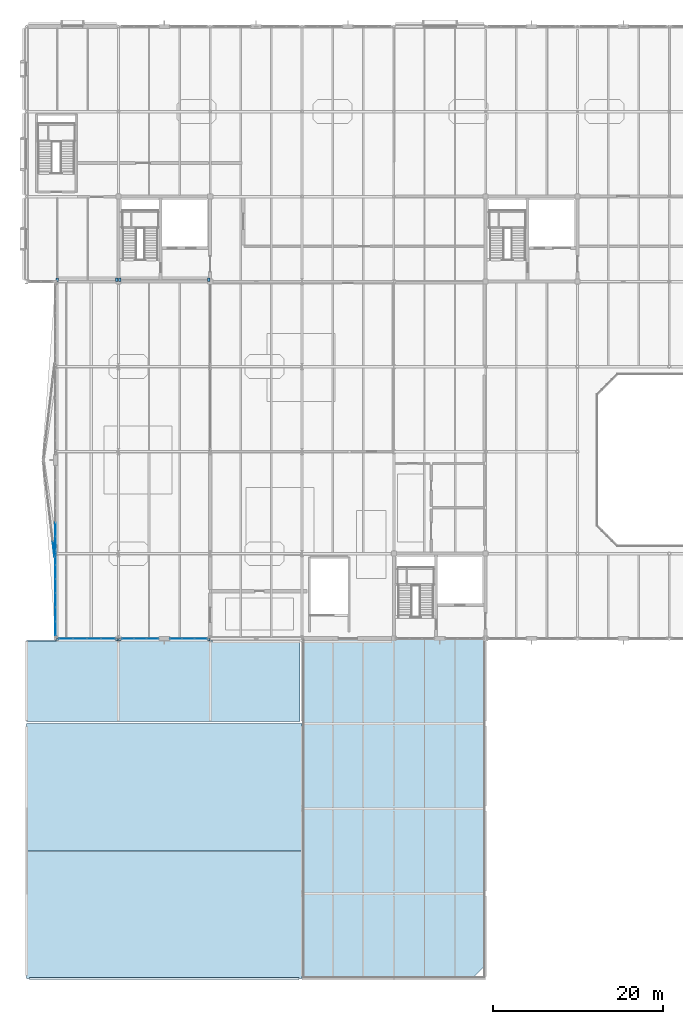
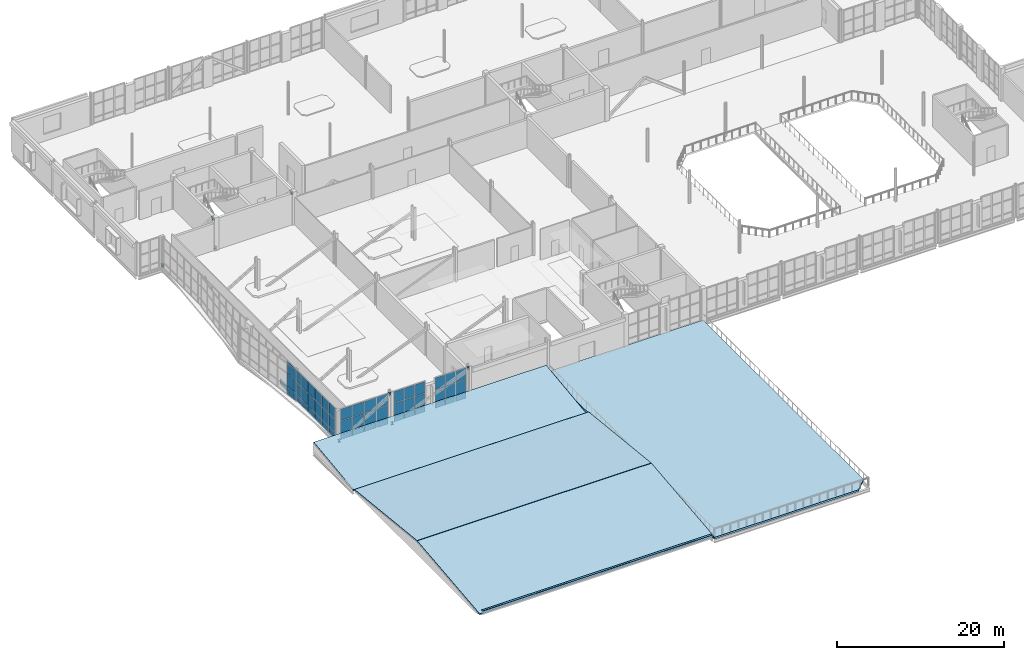
# One storey, part 62 of 100: 56 plates, 8 beams, 4 slabs, 5 elements without a shape of their own.
"""IFC4 building model written with IfcOpenShell, lengths in metres."""

import ifcopenshell
import ifcopenshell.guid

model = None  # the IFC model being written
_history = None  # IfcOwnerHistory: only IFC2X3 demands one
_inside = {}  # id of a spatial element -> (the spatial element, [elements in it])
_under = {}  # id of a project, library or spatial element -> (it, [spatial elements below it])
_declared = {}  # id of a project -> (the project, [libraries it declares])
_typed = {}  # id of a type object -> (the type object, [elements of that type])
_made_of = {}  # id of a material, layer set ... -> (it, [elements and type objects made of it])


def new_model(schema):
    """Start an empty IFC model of exactly this schema.

    Asked for "IFC4X3", IfcOpenShell would pick the latest addendum, in which some entities
    have other attributes; the version numbers below select the first issue.
    IFC2X3 requires an IfcOwnerHistory on every rooted entity: one is made here for all.
    """
    global model, _history
    if schema == "IFC4X3":
        model = ifcopenshell.file(schema_version=(4, 3, 0, 0))
    else:
        model = ifcopenshell.file(schema=schema)
    _inside.clear()
    _under.clear()
    _declared.clear()
    _typed.clear()
    _made_of.clear()
    _history = None
    if model.schema == "IFC2X3":
        org = make("IfcOrganization", Name="unknown")
        user = make(
            "IfcPersonAndOrganization",
            ThePerson=make("IfcPerson", FamilyName="unknown"),
            TheOrganization=org,
        )
        app = make(
            "IfcApplication",
            ApplicationDeveloper=org,
            Version="unknown",
            ApplicationFullName="unknown",
            ApplicationIdentifier="unknown",
        )
        _history = make(
            "IfcOwnerHistory",
            OwningUser=user,
            OwningApplication=app,
            ChangeAction="ADDED",
            CreationDate=0,
        )
    return model


def make(cls, **values):
    """One entity of the class cls with the attributes given. An attribute that is None is left unset."""
    return model.create_entity(
        cls, **{name: value for name, value in values.items() if value is not None}
    )


def rooted(cls, **values):
    """An entity with a GlobalId (a new one), such as an element, a storey or a relation."""
    return make(cls, GlobalId=ifcopenshell.guid.new(), OwnerHistory=_history, **values)


def si_unit(unit_type, name, prefix=None):
    """IfcSIUnit, for example si_unit("LENGTHUNIT", "METRE", prefix="MILLI")."""
    return make("IfcSIUnit", UnitType=unit_type, Prefix=prefix, Name=name)


def assignment(units):
    """IfcUnitAssignment: the units of a project."""
    return None if units is None else make("IfcUnitAssignment", Units=units)


def point(xyz):
    """IfcCartesianPoint."""
    return None if xyz is None else make("IfcCartesianPoint", Coordinates=xyz)


def direction(xyz):
    """IfcDirection."""
    return None if xyz is None else make("IfcDirection", DirectionRatios=xyz)


def frame(location, z_axis=None, x_axis=None):
    """IfcAxis2Placement3D, a coordinate frame: its origin and axes. An axis left out is left unset."""
    return make(
        "IfcAxis2Placement3D",
        Location=point(location),
        Axis=direction(z_axis),
        RefDirection=direction(x_axis),
    )


def frame_2d(location, x_axis=None):
    """IfcAxis2Placement2D, a coordinate frame in the plane: its origin and x axis."""
    return make(
        "IfcAxis2Placement2D", Location=point(location), RefDirection=direction(x_axis)
    )


def origin():
    """The frame at (0, 0, 0) with its axes left unset."""
    return frame((0.0, 0.0, 0.0))


def origin_2d():
    """The frame at (0, 0) in the plane with its x axis left unset."""
    return frame_2d((0.0, 0.0))


def place(relative_to, where):
    """IfcLocalPlacement: puts the frame where relative to a parent placement (None: the world)."""
    return make(
        "IfcLocalPlacement", PlacementRelTo=relative_to, RelativePlacement=where
    )


def context(
    kind, dimensions, precision=None, world=None, true_north=None, identifier=None
):
    """IfcGeometricRepresentationContext, for example the 3D "Model" context."""
    return make(
        "IfcGeometricRepresentationContext",
        ContextIdentifier=identifier,
        ContextType=kind,
        CoordinateSpaceDimension=dimensions,
        Precision=precision,
        WorldCoordinateSystem=world,
        TrueNorth=true_north,
    )


def subcontext(parent, identifier, kind, view, scale=None):
    """IfcGeometricRepresentationSubContext, for example "Body" below "Model"."""
    return make(
        "IfcGeometricRepresentationSubContext",
        ContextIdentifier=identifier,
        ContextType=kind,
        ParentContext=parent,
        TargetScale=scale,
        TargetView=view,
    )


def project(units=None, contexts=None):
    """IfcProject with its units and contexts."""
    return rooted(
        "IfcProject",
        Name="project",
        RepresentationContexts=contexts,
        UnitsInContext=assignment(units),
    )


def spatial(cls, under=None, at=None, **own):
    """A site, building, storey or space (cls), placed at a placement, below another one or the project."""
    s = rooted(cls, ObjectPlacement=at, **own)
    if under is not None:
        _under.setdefault(under.id(), (under, []))[1].append(s)
    return s


def polyline(points):
    """IfcPolyline through the points."""
    return make("IfcPolyline", Points=[point(p) for p in points])


def profile(cls, at=None, kind="AREA", **sizes):
    """A parametric profile (cls). Its sizes go by their IFC names, for example OverallWidth=200.0."""
    return make(cls, ProfileType=kind, Position=at, **sizes)


def rectangle(**sizes):
    """IfcRectangleProfileDef."""
    return profile("IfcRectangleProfileDef", **sizes)


def i_section(**sizes):
    """IfcIShapeProfileDef."""
    return profile("IfcIShapeProfileDef", **sizes)


def outline(outer, holes=None, kind="AREA"):
    """IfcArbitraryClosedProfileDef: a profile drawn as a closed curve; with holes, ...WithVoids."""
    if holes is None:
        return make("IfcArbitraryClosedProfileDef", ProfileType=kind, OuterCurve=outer)
    return make(
        "IfcArbitraryProfileDefWithVoids",
        ProfileType=kind,
        OuterCurve=outer,
        InnerCurves=holes,
    )


def extrude(swept, where, along, depth):
    """IfcExtrudedAreaSolid: the profile swept, set in the frame where, extruded along a direction by depth."""
    return make(
        "IfcExtrudedAreaSolid",
        SweptArea=swept,
        Position=where,
        ExtrudedDirection=direction(along),
        Depth=depth,
    )


def shape(context_of_items, identifier, shape_type, items):
    """IfcShapeRepresentation: the items that make up one representation, for example the "Body"."""
    return make(
        "IfcShapeRepresentation",
        ContextOfItems=context_of_items,
        RepresentationIdentifier=identifier,
        RepresentationType=shape_type,
        Items=items,
    )


def material(Name=None, Category=None):
    """IfcMaterial."""
    return make("IfcMaterial", Name=Name, Category=Category)


def layer(
    of_material, thickness, ventilated=None, Name=None, Category=None, Priority=None
):
    """IfcMaterialLayer: one layer of a wall or slab, of a material (None: an air gap)."""
    return make(
        "IfcMaterialLayer",
        Material=of_material,
        LayerThickness=thickness,
        IsVentilated=ventilated,
        Name=Name,
        Category=Category,
        Priority=Priority,
    )


def layer_set(layers, Name=None):
    """IfcMaterialLayerSet."""
    return make("IfcMaterialLayerSet", MaterialLayers=layers, LayerSetName=Name)


def material_profile(
    of_material, cross_section, Name=None, Category=None, Priority=None
):
    """IfcMaterialProfile: a cross section and its material."""
    return make(
        "IfcMaterialProfile",
        Name=Name,
        Material=of_material,
        Profile=cross_section,
        Priority=Priority,
        Category=Category,
    )


def profile_set(profiles, Name=None, composite=None):
    """IfcMaterialProfileSet."""
    return make(
        "IfcMaterialProfileSet",
        Name=Name,
        MaterialProfiles=profiles,
        CompositeProfile=composite,
    )


def made_of(thing, what):
    """Note that an element or type object is made of a material, layer set ...; save() writes the relation."""
    if what is not None:
        _made_of.setdefault(what.id(), (what, []))[1].append(thing)
    return thing


def type_object(cls, material=None, **own):
    """A type object (cls), such as IfcWallType, which elements share."""
    return made_of(rooted(cls, **own), material)


def element(
    cls,
    number,
    at=None,
    inside=None,
    cuts=None,
    type_object=None,
    material=None,
    context=None,
    identifier="Body",
    shape_type=None,
    held_by="IfcProductDefinitionShape",
    body=None,
    shapes=None,
    **own,
):
    """One element of the class cls, such as IfcWall. Its Tag is "e" and its number.

    at: its placement. inside: the storey or other place that contains it. cuts: it is an
    opening in that element (IfcRelVoidsElement). A single representation is given by context,
    identifier, shape_type and body (its items); several are given by shapes. held_by: the class
    of the entity that holds the representations. save() writes the other relations.
    """
    e = rooted(cls, Tag="e%d" % number, ObjectPlacement=at, **own)
    if body is not None:
        shapes = [shape(context, identifier, shape_type, body)]
    if shapes is not None:
        e.Representation = make(held_by, Representations=shapes)
    if inside is not None:
        _inside.setdefault(inside.id(), (inside, []))[1].append(e)
    if cuts is not None:
        rooted(
            "IfcRelVoidsElement", RelatingBuildingElement=cuts, RelatedOpeningElement=e
        )
    if type_object is not None:
        _typed.setdefault(type_object.id(), (type_object, []))[1].append(e)
    return made_of(e, material)


def aggregate(whole, parts):
    """IfcRelAggregates: a whole, such as a stair, and the parts it consists of."""
    return rooted("IfcRelAggregates", RelatingObject=whole, RelatedObjects=parts)


def save(model, path):
    """Write the relations noted so far, then the file.

    IfcRelAggregates (storeys below a building ...), IfcRelContainedInSpatialStructure (elements
    in a storey), IfcRelDefinesByType, IfcRelAssociatesMaterial and IfcRelDeclares: one each for
    every whole, place, type object, material and project.
    """
    for whole, parts in _under.values():
        aggregate(whole, parts)
    for where, things in _inside.values():
        rooted(
            "IfcRelContainedInSpatialStructure",
            RelatedElements=things,
            RelatingStructure=where,
        )
    for kind, things in _typed.values():
        rooted("IfcRelDefinesByType", RelatedObjects=things, RelatingType=kind)
    for what, things in _made_of.values():
        rooted("IfcRelAssociatesMaterial", RelatedObjects=things, RelatingMaterial=what)
    for by, libraries in _declared.values():
        rooted("IfcRelDeclares", RelatingContext=by, RelatedDefinitions=libraries)
    model.write(path)


model = new_model("IFC4")

# Units and contexts
model_context = context("Model", 3, precision=1e-05, world=origin(), true_north=direction((0.0, 1.0)))
body_context = subcontext(model_context, "Body", "Model", "MODEL_VIEW")
ifc_project = project(units=[si_unit("LENGTHUNIT", "METRE"), si_unit("AREAUNIT", "SQUARE_METRE"), si_unit("VOLUMEUNIT", "CUBIC_METRE"), si_unit("PLANEANGLEUNIT", "RADIAN"), si_unit("MASSUNIT", "GRAM", prefix="KILO")], contexts=[model_context])

# Site, building, storey
site_placement = place(None, origin())
site = spatial("IfcSite", under=ifc_project, at=site_placement, CompositionType="ELEMENT")
building_placement = place(site_placement, origin())
building = spatial("IfcBuilding", under=site, at=building_placement, Name="Tasgan Crest Museum", CompositionType="ELEMENT")
storey_placement = place(building_placement, frame((0.0, 0.0, 9.60009765625)))
storey = spatial("IfcBuildingStorey", under=building, at=storey_placement, Name="L02", CompositionType="ELEMENT", Elevation=9.60009765625)

# Beams
ifc_material_1 = material(Name="Steel S355J2", Category="steel")
ifc_material_profile = material_profile(ifc_material_1, i_section(OverallWidth=0.300048828125, OverallDepth=0.35009765625, WebThickness=0.009521484375, FlangeThickness=0.017578125, FilletRadius=0.027099609375, at=origin_2d()), Name="HEA 360")
ifc_profile_set = profile_set([ifc_material_profile], Name="Steel S355J2")
beam_type = type_object("IfcBeamType", Name="BM-G-HEA360", PredefinedType="BEAM", material=ifc_profile_set)
for number, where, z_axis, x_axis, name in (
    (1, (3.60009765625, 40.0, 0.0498046875), (0.0, -1.0, 0.0), (1.0, 0.0, 0.0), "Exterior truss outrigger S1A"),
    (2, (10.60009765625, 40.0, 4.449951171875), (0.0, -1.0, 0.0), (1.0, 0.0, 0.0), "Exterior truss outrigger S1B"),
    (3, (10.949951171875, 40.0, 0.0498046875), (0.0, -1.0, 0.0), (1.0, 0.0, 0.0), "Exterior truss outrigger S2A"),
    (4, (21.449951171875, 40.0, 4.449951171875), (0.0, -1.0, 0.0), (1.0, 0.0, 0.0), "Exterior truss outrigger S2B"),
):
    element("IfcBeam", number, at=place(storey_placement, frame(where, z_axis=z_axis, x_axis=x_axis)), inside=storey, type_object=beam_type, Name=name, PredefinedType="BEAM", context=body_context, shape_type="SweptSolid", body=[
        extrude(i_section(OverallWidth=0.300048828125, OverallDepth=0.35009765625, WebThickness=0.009521484375, FlangeThickness=0.017578125, FilletRadius=0.027099609375, at=origin_2d()), origin(), (0.0, 0.0, 1.0), 0.199951171875),
    ])
for number, where, z_axis, x_axis, name in (
    (5, (3.60009765625, 82.0, 0.0498046875), (0.0, 1.0, 0.0), (-1.0, 0.0, 0.0), "Exterior truss outrigger N1A"),
    (6, (10.60009765625, 82.0, 4.449951171875), (0.0, 1.0, 0.0), (-1.0, 0.0, 0.0), "Exterior truss outrigger N1B"),
    (7, (10.949951171875, 82.0, 0.0498046875), (0.0, 1.0, 0.0), (-1.0, 0.0, 0.0), "Exterior truss outrigger N2A"),
    (8, (21.449951171875, 82.0, 4.449951171875), (0.0, 1.0, 0.0), (-1.0, 0.0, 0.0), "Exterior truss outrigger N2B"),
):
    element("IfcBeam", number, at=place(storey_placement, frame(where, z_axis=z_axis, x_axis=x_axis)), inside=storey, type_object=beam_type, Name=name, PredefinedType="BEAM", context=body_context, shape_type="SweptSolid", body=[
        extrude(i_section(OverallWidth=0.300048828125, OverallDepth=0.35009765625, WebThickness=0.009521484375, FlangeThickness=0.017578125, FilletRadius=0.027099609375, at=origin_2d()), origin(), (0.0, 0.0, 1.0), 0.419921875),
    ])

# Curtain wall, plates
ifc_material_2 = material(Name="Triple-Glazed Aluminium Curtain Wall", Category="aluminium")
ifc_layer_1 = layer(ifc_material_2, 0.179931640625, Name="CW-CANT-TIP-48")
ifc_layer_set_1 = layer_set([ifc_layer_1], Name="Triple-Glazed Aluminium Curtain Wall")
curtain_wall_type_1 = type_object("IfcCurtainWallType", Name="CW-CANT-TIP-48", PredefinedType="NOTDEFINED", material=ifc_layer_set_1)
curtain_wall_1_placement = place(storey_placement, origin())
curtain_wall_1 = element("IfcCurtainWall", 9, at=curtain_wall_1_placement, inside=storey, type_object=curtain_wall_type_1, Name="Curtain wall L02 095", PredefinedType="NOTDEFINED")
ifc_material_3 = material(Name="Insulated Spandrel Glass", Category="glass")
ifc_layer_2 = layer(ifc_material_3, 0.052001953125, Name="CW-PANEL-SPANDREL")
ifc_layer_set_2 = layer_set([ifc_layer_2], Name="Insulated Spandrel Glass")
plate_type_1 = type_object("IfcPlateType", Name="CW-PANEL-SPANDREL", PredefinedType="CURTAIN_PANEL", material=ifc_layer_set_2)
plate_1_placement = place(storey_placement, frame((3.39990234375, 52.858642578125, 0.059814453125), z_axis=(0.0, 0.0, 1.0), x_axis=(0.0, -1.0, 0.0)))
plate_1 = element("IfcPlate", 10, at=plate_1_placement, type_object=plate_type_1, Name="CW09 panel 5.1", PredefinedType="CURTAIN_PANEL", context=body_context, shape_type="SweptSolid", body=[
    extrude(rectangle(XDim=1.605712890625, YDim=0.028076171875, at=origin_2d()), origin(), (0.0, 0.0, 1.0), 0.81005859375),
])
plate_2_placement = place(storey_placement, frame((3.39990234375, 51.19287109375, 0.059814453125), z_axis=(0.0, 0.0, 1.0), x_axis=(0.0, -1.0, 0.0)))
plate_2 = element("IfcPlate", 11, at=plate_2_placement, type_object=plate_type_1, Name="CW09 panel 6.1", PredefinedType="CURTAIN_PANEL", context=body_context, shape_type="SweptSolid", body=[
    extrude(rectangle(XDim=1.605712890625, YDim=0.028076171875, at=origin_2d()), origin(), (0.0, 0.0, 1.0), 0.81005859375),
])
plate_3_placement = place(storey_placement, frame((3.39990234375, 49.527099609375, 0.059814453125), z_axis=(0.0, 0.0, 1.0), x_axis=(0.0, -1.0, 0.0)))
plate_3 = element("IfcPlate", 12, at=plate_3_placement, type_object=plate_type_1, Name="CW09 panel 7.1", PredefinedType="CURTAIN_PANEL", context=body_context, shape_type="SweptSolid", body=[
    extrude(rectangle(XDim=1.605712890625, YDim=0.028076171875, at=origin_2d()), origin(), (0.0, 0.0, 1.0), 0.81005859375),
])
plate_4_placement = place(storey_placement, frame((3.39990234375, 47.861328125, 0.059814453125), z_axis=(0.0, 0.0, 1.0), x_axis=(0.0, -1.0, 0.0)))
plate_4 = element("IfcPlate", 13, at=plate_4_placement, type_object=plate_type_1, Name="CW09 panel 8.1", PredefinedType="CURTAIN_PANEL", context=body_context, shape_type="SweptSolid", body=[
    extrude(rectangle(XDim=1.605712890625, YDim=0.028076171875, at=origin_2d()), origin(), (0.0, 0.0, 1.0), 0.81005859375),
])
plate_5_placement = place(storey_placement, frame((3.39990234375, 46.1953125, 0.059814453125), z_axis=(0.0, 0.0, 1.0), x_axis=(0.0, -1.0, 0.0)))
plate_5 = element("IfcPlate", 14, at=plate_5_placement, type_object=plate_type_1, Name="CW09 panel 9.1", PredefinedType="CURTAIN_PANEL", context=body_context, shape_type="SweptSolid", body=[
    extrude(rectangle(XDim=1.605712890625, YDim=0.028076171875, at=origin_2d()), origin(), (0.0, 0.0, 1.0), 0.81005859375),
])
plate_6_placement = place(storey_placement, frame((3.39990234375, 44.529541015625, 0.059814453125), z_axis=(0.0, 0.0, 1.0), x_axis=(0.0, -1.0, 0.0)))
plate_6 = element("IfcPlate", 15, at=plate_6_placement, type_object=plate_type_1, Name="CW09 panel 10.1", PredefinedType="CURTAIN_PANEL", context=body_context, shape_type="SweptSolid", body=[
    extrude(rectangle(XDim=1.605712890625, YDim=0.028076171875, at=origin_2d()), origin(), (0.0, 0.0, 1.0), 0.81005859375),
])
plate_7_placement = place(storey_placement, frame((3.39990234375, 42.86376953125, 0.059814453125), z_axis=(0.0, 0.0, 1.0), x_axis=(0.0, -1.0, 0.0)))
plate_7 = element("IfcPlate", 16, at=plate_7_placement, type_object=plate_type_1, Name="CW09 panel 11.1", PredefinedType="CURTAIN_PANEL", context=body_context, shape_type="SweptSolid", body=[
    extrude(rectangle(XDim=1.605712890625, YDim=0.028076171875, at=origin_2d()), origin(), (0.0, 0.0, 1.0), 0.81005859375),
])
plate_8_placement = place(storey_placement, frame((3.39990234375, 41.212890625, 0.059814453125), z_axis=(0.0, 0.0, 1.0), x_axis=(0.0, -1.0, 0.0)))
plate_8 = element("IfcPlate", 17, at=plate_8_placement, type_object=plate_type_1, Name="CW09 panel 12.1", PredefinedType="CURTAIN_PANEL", context=body_context, shape_type="SweptSolid", body=[
    extrude(rectangle(XDim=1.575927734375, YDim=0.028076171875, at=origin_2d()), origin(), (0.0, 0.0, 1.0), 0.81005859375),
])

ifc_material_4 = material(Name="Triple-Glazed Aluminium Curtain Wall", Category="aluminium")
ifc_layer_3 = layer(ifc_material_4, 0.179931640625, Name="CW-CANT-SIDE-48")
ifc_layer_set_3 = layer_set([ifc_layer_3], Name="Triple-Glazed Aluminium Curtain Wall")
curtain_wall_type_2 = type_object("IfcCurtainWallType", Name="CW-CANT-SIDE-48", PredefinedType="NOTDEFINED", material=ifc_layer_set_3)
curtain_wall_2_placement = place(storey_placement, origin())
curtain_wall_2 = element("IfcCurtainWall", 18, at=curtain_wall_2_placement, inside=storey, type_object=curtain_wall_type_2, Name="Curtain wall L02 096", PredefinedType="NOTDEFINED")
plate_9_placement = place(storey_placement, frame((4.61376953125, 40.0, 0.059814453125), z_axis=(0.0, 0.0, 1.0), x_axis=(1.0, 0.0, 0.0)))
plate_9 = element("IfcPlate", 19, at=plate_9_placement, type_object=plate_type_1, Name="CW11 panel 1.1", PredefinedType="CURTAIN_PANEL", context=body_context, shape_type="SweptSolid", body=[
    extrude(rectangle(XDim=1.577392578125, YDim=0.028076171875, at=origin_2d()), origin(), (0.0, 0.0, 1.0), 0.81005859375),
])
plate_10_placement = place(storey_placement, frame((6.266357421875, 40.0, 0.059814453125), z_axis=(0.0, 0.0, 1.0), x_axis=(1.0, 0.0, 0.0)))
plate_10 = element("IfcPlate", 20, at=plate_10_placement, type_object=plate_type_1, Name="CW11 panel 2.1", PredefinedType="CURTAIN_PANEL", context=body_context, shape_type="SweptSolid", body=[
    extrude(rectangle(XDim=1.607421875, YDim=0.028076171875, at=origin_2d()), origin(), (0.0, 0.0, 1.0), 0.81005859375),
])
plate_11_placement = place(storey_placement, frame((7.933837890625, 40.0, 0.059814453125), z_axis=(0.0, 0.0, 1.0), x_axis=(1.0, 0.0, 0.0)))
plate_11 = element("IfcPlate", 21, at=plate_11_placement, type_object=plate_type_1, Name="CW11 panel 3.1", PredefinedType="CURTAIN_PANEL", context=body_context, shape_type="SweptSolid", body=[
    extrude(rectangle(XDim=1.607421875, YDim=0.028076171875, at=origin_2d()), origin(), (0.0, 0.0, 1.0), 0.81005859375),
])
plate_12_placement = place(storey_placement, frame((9.586181640625, 40.0, 0.059814453125), z_axis=(0.0, 0.0, 1.0), x_axis=(1.0, 0.0, 0.0)))
plate_12 = element("IfcPlate", 22, at=plate_12_placement, type_object=plate_type_1, Name="CW11 panel 4.1", PredefinedType="CURTAIN_PANEL", context=body_context, shape_type="SweptSolid", body=[
    extrude(rectangle(XDim=1.577392578125, YDim=0.028076171875, at=origin_2d()), origin(), (0.0, 0.0, 1.0), 0.81005859375),
])

curtain_wall_3_placement = place(storey_placement, origin())
curtain_wall_3 = element("IfcCurtainWall", 23, at=curtain_wall_3_placement, inside=storey, type_object=curtain_wall_type_2, Name="Curtain wall L02 097", PredefinedType="NOTDEFINED")
plate_13_placement = place(storey_placement, frame((11.91162109375, 40.0, 0.059814453125), z_axis=(0.0, 0.0, 1.0), x_axis=(1.0, 0.0, 0.0)))
plate_13 = element("IfcPlate", 24, at=plate_13_placement, type_object=plate_type_1, Name="CW11 panel 1.1", PredefinedType="CURTAIN_PANEL", context=body_context, shape_type="SweptSolid", body=[
    extrude(rectangle(XDim=1.373291015625, YDim=0.028076171875, at=origin_2d()), origin(), (0.0, 0.0, 1.0), 0.81005859375),
])
plate_14_placement = place(storey_placement, frame((13.360107421875, 40.0, 0.059814453125), z_axis=(0.0, 0.0, 1.0), x_axis=(1.0, 0.0, 0.0)))
plate_14 = element("IfcPlate", 25, at=plate_14_placement, type_object=plate_type_1, Name="CW11 panel 2.1", PredefinedType="CURTAIN_PANEL", context=body_context, shape_type="SweptSolid", body=[
    extrude(rectangle(XDim=1.4033203125, YDim=0.028076171875, at=origin_2d()), origin(), (0.0, 0.0, 1.0), 0.81005859375),
])
plate_15_placement = place(storey_placement, frame((14.808349609375, 40.0, 0.059814453125), z_axis=(0.0, 0.0, 1.0), x_axis=(1.0, 0.0, 0.0)))
plate_15 = element("IfcPlate", 26, at=plate_15_placement, type_object=plate_type_1, Name="CW11 panel 3.1", PredefinedType="CURTAIN_PANEL", context=body_context, shape_type="SweptSolid", body=[
    extrude(rectangle(XDim=1.373291015625, YDim=0.028076171875, at=origin_2d()), origin(), (0.0, 0.0, 1.0), 0.81005859375),
])

curtain_wall_4_placement = place(storey_placement, origin())
curtain_wall_4 = element("IfcCurtainWall", 27, at=curtain_wall_4_placement, inside=storey, type_object=curtain_wall_type_2, Name="Curtain wall L02 098", PredefinedType="NOTDEFINED")
plate_16_placement = place(storey_placement, frame((17.591552734375, 40.0, 0.059814453125), z_axis=(0.0, 0.0, 1.0), x_axis=(1.0, 0.0, 0.0)))
plate_16 = element("IfcPlate", 28, at=plate_16_placement, type_object=plate_type_1, Name="CW11 panel 1.1", PredefinedType="CURTAIN_PANEL", context=body_context, shape_type="SweptSolid", body=[
    extrude(rectangle(XDim=1.373291015625, YDim=0.028076171875, at=origin_2d()), origin(), (0.0, 0.0, 1.0), 0.81005859375),
])
plate_17_placement = place(storey_placement, frame((19.0400390625, 40.0, 0.059814453125), z_axis=(0.0, 0.0, 1.0), x_axis=(1.0, 0.0, 0.0)))
plate_17 = element("IfcPlate", 29, at=plate_17_placement, type_object=plate_type_1, Name="CW11 panel 2.1", PredefinedType="CURTAIN_PANEL", context=body_context, shape_type="SweptSolid", body=[
    extrude(rectangle(XDim=1.4033203125, YDim=0.028076171875, at=origin_2d()), origin(), (0.0, 0.0, 1.0), 0.81005859375),
])
plate_18_placement = place(storey_placement, frame((20.48828125, 40.0, 0.059814453125), z_axis=(0.0, 0.0, 1.0), x_axis=(1.0, 0.0, 0.0)))
plate_18 = element("IfcPlate", 30, at=plate_18_placement, type_object=plate_type_1, Name="CW11 panel 3.1", PredefinedType="CURTAIN_PANEL", context=body_context, shape_type="SweptSolid", body=[
    extrude(rectangle(XDim=1.373291015625, YDim=0.028076171875, at=origin_2d()), origin(), (0.0, 0.0, 1.0), 0.81005859375),
])

# Plate
ifc_material_5 = material(Name="Low-E Triple Glazing", Category="glass")
ifc_layer_4 = layer(ifc_material_5, 0.0439453125, Name="CW-PANEL-TRIPLE")
ifc_layer_set_4 = layer_set([ifc_layer_4], Name="Low-E Triple Glazing")
plate_type_2 = type_object("IfcPlateType", Name="CW-PANEL-TRIPLE", PredefinedType="CURTAIN_PANEL", material=ifc_layer_set_4)
plate_19_placement = place(storey_placement, frame((3.39990234375, 51.19287109375, 0.9296875), z_axis=(0.0, 0.0, 1.0), x_axis=(0.0, -1.0, 0.0)))
plate_19 = element("IfcPlate", 31, at=plate_19_placement, type_object=plate_type_2, Name="CW09 panel 6.2", PredefinedType="CURTAIN_PANEL", context=body_context, shape_type="SweptSolid", body=[
    extrude(rectangle(XDim=1.605712890625, YDim=0.028076171875, at=origin_2d()), origin(), (0.0, 0.0, 1.0), 1.840087890625),
])

plate_20_placement = place(storey_placement, frame((3.39990234375, 51.19287109375, 2.829833984375), z_axis=(0.0, 0.0, 1.0), x_axis=(0.0, -1.0, 0.0)))
plate_20 = element("IfcPlate", 32, at=plate_20_placement, type_object=plate_type_2, Name="CW09 panel 6.3", PredefinedType="CURTAIN_PANEL", context=body_context, shape_type="SweptSolid", body=[
    extrude(rectangle(XDim=1.605712890625, YDim=0.028076171875, at=origin_2d()), origin(), (0.0, 0.0, 1.0), 1.669921875),
])

plate_21_placement = place(storey_placement, frame((3.39990234375, 49.527099609375, 0.9296875), z_axis=(0.0, 0.0, 1.0), x_axis=(0.0, -1.0, 0.0)))
plate_21 = element("IfcPlate", 33, at=plate_21_placement, type_object=plate_type_2, Name="CW09 panel 7.2", PredefinedType="CURTAIN_PANEL", context=body_context, shape_type="SweptSolid", body=[
    extrude(rectangle(XDim=1.605712890625, YDim=0.028076171875, at=origin_2d()), origin(), (0.0, 0.0, 1.0), 1.840087890625),
])

plate_22_placement = place(storey_placement, frame((3.39990234375, 49.527099609375, 2.829833984375), z_axis=(0.0, 0.0, 1.0), x_axis=(0.0, -1.0, 0.0)))
plate_22 = element("IfcPlate", 34, at=plate_22_placement, type_object=plate_type_2, Name="CW09 panel 7.3", PredefinedType="CURTAIN_PANEL", context=body_context, shape_type="SweptSolid", body=[
    extrude(rectangle(XDim=1.605712890625, YDim=0.028076171875, at=origin_2d()), origin(), (0.0, 0.0, 1.0), 1.669921875),
])

plate_23_placement = place(storey_placement, frame((3.39990234375, 47.861328125, 0.9296875), z_axis=(0.0, 0.0, 1.0), x_axis=(0.0, -1.0, 0.0)))
plate_23 = element("IfcPlate", 35, at=plate_23_placement, type_object=plate_type_2, Name="CW09 panel 8.2", PredefinedType="CURTAIN_PANEL", context=body_context, shape_type="SweptSolid", body=[
    extrude(rectangle(XDim=1.605712890625, YDim=0.028076171875, at=origin_2d()), origin(), (0.0, 0.0, 1.0), 1.840087890625),
])

plate_24_placement = place(storey_placement, frame((3.39990234375, 47.861328125, 2.829833984375), z_axis=(0.0, 0.0, 1.0), x_axis=(0.0, -1.0, 0.0)))
plate_24 = element("IfcPlate", 36, at=plate_24_placement, type_object=plate_type_2, Name="CW09 panel 8.3", PredefinedType="CURTAIN_PANEL", context=body_context, shape_type="SweptSolid", body=[
    extrude(rectangle(XDim=1.605712890625, YDim=0.028076171875, at=origin_2d()), origin(), (0.0, 0.0, 1.0), 1.669921875),
])

plate_25_placement = place(storey_placement, frame((3.39990234375, 46.1953125, 0.9296875), z_axis=(0.0, 0.0, 1.0), x_axis=(0.0, -1.0, 0.0)))
plate_25 = element("IfcPlate", 37, at=plate_25_placement, type_object=plate_type_2, Name="CW09 panel 9.2", PredefinedType="CURTAIN_PANEL", context=body_context, shape_type="SweptSolid", body=[
    extrude(rectangle(XDim=1.605712890625, YDim=0.028076171875, at=origin_2d()), origin(), (0.0, 0.0, 1.0), 1.840087890625),
])

plate_26_placement = place(storey_placement, frame((3.39990234375, 46.1953125, 2.829833984375), z_axis=(0.0, 0.0, 1.0), x_axis=(0.0, -1.0, 0.0)))
plate_26 = element("IfcPlate", 38, at=plate_26_placement, type_object=plate_type_2, Name="CW09 panel 9.3", PredefinedType="CURTAIN_PANEL", context=body_context, shape_type="SweptSolid", body=[
    extrude(rectangle(XDim=1.605712890625, YDim=0.028076171875, at=origin_2d()), origin(), (0.0, 0.0, 1.0), 1.669921875),
])

plate_27_placement = place(storey_placement, frame((3.39990234375, 44.529541015625, 0.9296875), z_axis=(0.0, 0.0, 1.0), x_axis=(0.0, -1.0, 0.0)))
plate_27 = element("IfcPlate", 39, at=plate_27_placement, type_object=plate_type_2, Name="CW09 panel 10.2", PredefinedType="CURTAIN_PANEL", context=body_context, shape_type="SweptSolid", body=[
    extrude(rectangle(XDim=1.605712890625, YDim=0.028076171875, at=origin_2d()), origin(), (0.0, 0.0, 1.0), 1.840087890625),
])

plate_28_placement = place(storey_placement, frame((3.39990234375, 44.529541015625, 2.829833984375), z_axis=(0.0, 0.0, 1.0), x_axis=(0.0, -1.0, 0.0)))
plate_28 = element("IfcPlate", 40, at=plate_28_placement, type_object=plate_type_2, Name="CW09 panel 10.3", PredefinedType="CURTAIN_PANEL", context=body_context, shape_type="SweptSolid", body=[
    extrude(rectangle(XDim=1.605712890625, YDim=0.028076171875, at=origin_2d()), origin(), (0.0, 0.0, 1.0), 1.669921875),
])

plate_29_placement = place(storey_placement, frame((3.39990234375, 42.86376953125, 0.9296875), z_axis=(0.0, 0.0, 1.0), x_axis=(0.0, -1.0, 0.0)))
plate_29 = element("IfcPlate", 41, at=plate_29_placement, type_object=plate_type_2, Name="CW09 panel 11.2", PredefinedType="CURTAIN_PANEL", context=body_context, shape_type="SweptSolid", body=[
    extrude(rectangle(XDim=1.605712890625, YDim=0.028076171875, at=origin_2d()), origin(), (0.0, 0.0, 1.0), 1.840087890625),
])

plate_30_placement = place(storey_placement, frame((3.39990234375, 42.86376953125, 2.829833984375), z_axis=(0.0, 0.0, 1.0), x_axis=(0.0, -1.0, 0.0)))
plate_30 = element("IfcPlate", 42, at=plate_30_placement, type_object=plate_type_2, Name="CW09 panel 11.3", PredefinedType="CURTAIN_PANEL", context=body_context, shape_type="SweptSolid", body=[
    extrude(rectangle(XDim=1.605712890625, YDim=0.028076171875, at=origin_2d()), origin(), (0.0, 0.0, 1.0), 1.669921875),
])

plate_31_placement = place(storey_placement, frame((3.39990234375, 41.212890625, 0.9296875), z_axis=(0.0, 0.0, 1.0), x_axis=(0.0, -1.0, 0.0)))
plate_31 = element("IfcPlate", 43, at=plate_31_placement, type_object=plate_type_2, Name="CW09 panel 12.2", PredefinedType="CURTAIN_PANEL", context=body_context, shape_type="SweptSolid", body=[
    extrude(rectangle(XDim=1.575927734375, YDim=0.028076171875, at=origin_2d()), origin(), (0.0, 0.0, 1.0), 1.840087890625),
])

plate_32_placement = place(storey_placement, frame((3.39990234375, 41.212890625, 2.829833984375), z_axis=(0.0, 0.0, 1.0), x_axis=(0.0, -1.0, 0.0)))
plate_32 = element("IfcPlate", 44, at=plate_32_placement, type_object=plate_type_2, Name="CW09 panel 12.3", PredefinedType="CURTAIN_PANEL", context=body_context, shape_type="SweptSolid", body=[
    extrude(rectangle(XDim=1.575927734375, YDim=0.028076171875, at=origin_2d()), origin(), (0.0, 0.0, 1.0), 1.669921875),
])

aggregate(curtain_wall_1, [plate_1, plate_2, plate_19, plate_20, plate_3, plate_21, plate_22, plate_4, plate_23, plate_24, plate_5, plate_25, plate_26, plate_6, plate_27, plate_28, plate_7, plate_29, plate_30, plate_8, plate_31, plate_32])

plate_33_placement = place(storey_placement, frame((4.61376953125, 40.0, 0.9296875), z_axis=(0.0, 0.0, 1.0), x_axis=(1.0, 0.0, 0.0)))
plate_33 = element("IfcPlate", 45, at=plate_33_placement, type_object=plate_type_2, Name="CW11 panel 1.2", PredefinedType="CURTAIN_PANEL", context=body_context, shape_type="SweptSolid", body=[
    extrude(rectangle(XDim=1.577392578125, YDim=0.028076171875, at=origin_2d()), origin(), (0.0, 0.0, 1.0), 1.840087890625),
])

plate_34_placement = place(storey_placement, frame((4.61376953125, 40.0, 2.829833984375), z_axis=(0.0, 0.0, 1.0), x_axis=(1.0, 0.0, 0.0)))
plate_34 = element("IfcPlate", 46, at=plate_34_placement, type_object=plate_type_2, Name="CW11 panel 1.3", PredefinedType="CURTAIN_PANEL", context=body_context, shape_type="SweptSolid", body=[
    extrude(rectangle(XDim=1.577392578125, YDim=0.028076171875, at=origin_2d()), origin(), (0.0, 0.0, 1.0), 1.669921875),
])

plate_35_placement = place(storey_placement, frame((6.266357421875, 40.0, 0.9296875), z_axis=(0.0, 0.0, 1.0), x_axis=(1.0, 0.0, 0.0)))
plate_35 = element("IfcPlate", 47, at=plate_35_placement, type_object=plate_type_2, Name="CW11 panel 2.2", PredefinedType="CURTAIN_PANEL", context=body_context, shape_type="SweptSolid", body=[
    extrude(rectangle(XDim=1.607421875, YDim=0.028076171875, at=origin_2d()), origin(), (0.0, 0.0, 1.0), 1.840087890625),
])

plate_36_placement = place(storey_placement, frame((6.266357421875, 40.0, 2.829833984375), z_axis=(0.0, 0.0, 1.0), x_axis=(1.0, 0.0, 0.0)))
plate_36 = element("IfcPlate", 48, at=plate_36_placement, type_object=plate_type_2, Name="CW11 panel 2.3", PredefinedType="CURTAIN_PANEL", context=body_context, shape_type="SweptSolid", body=[
    extrude(rectangle(XDim=1.607421875, YDim=0.028076171875, at=origin_2d()), origin(), (0.0, 0.0, 1.0), 1.669921875),
])

plate_37_placement = place(storey_placement, frame((7.933837890625, 40.0, 0.9296875), z_axis=(0.0, 0.0, 1.0), x_axis=(1.0, 0.0, 0.0)))
plate_37 = element("IfcPlate", 49, at=plate_37_placement, type_object=plate_type_2, Name="CW11 panel 3.2", PredefinedType="CURTAIN_PANEL", context=body_context, shape_type="SweptSolid", body=[
    extrude(rectangle(XDim=1.607421875, YDim=0.028076171875, at=origin_2d()), origin(), (0.0, 0.0, 1.0), 1.840087890625),
])

plate_38_placement = place(storey_placement, frame((7.933837890625, 40.0, 2.829833984375), z_axis=(0.0, 0.0, 1.0), x_axis=(1.0, 0.0, 0.0)))
plate_38 = element("IfcPlate", 50, at=plate_38_placement, type_object=plate_type_2, Name="CW11 panel 3.3", PredefinedType="CURTAIN_PANEL", context=body_context, shape_type="SweptSolid", body=[
    extrude(rectangle(XDim=1.607421875, YDim=0.028076171875, at=origin_2d()), origin(), (0.0, 0.0, 1.0), 1.669921875),
])

plate_39_placement = place(storey_placement, frame((9.586181640625, 40.0, 0.9296875), z_axis=(0.0, 0.0, 1.0), x_axis=(1.0, 0.0, 0.0)))
plate_39 = element("IfcPlate", 51, at=plate_39_placement, type_object=plate_type_2, Name="CW11 panel 4.2", PredefinedType="CURTAIN_PANEL", context=body_context, shape_type="SweptSolid", body=[
    extrude(rectangle(XDim=1.577392578125, YDim=0.028076171875, at=origin_2d()), origin(), (0.0, 0.0, 1.0), 1.840087890625),
])

plate_40_placement = place(storey_placement, frame((9.586181640625, 40.0, 2.829833984375), z_axis=(0.0, 0.0, 1.0), x_axis=(1.0, 0.0, 0.0)))
plate_40 = element("IfcPlate", 52, at=plate_40_placement, type_object=plate_type_2, Name="CW11 panel 4.3", PredefinedType="CURTAIN_PANEL", context=body_context, shape_type="SweptSolid", body=[
    extrude(rectangle(XDim=1.577392578125, YDim=0.028076171875, at=origin_2d()), origin(), (0.0, 0.0, 1.0), 1.669921875),
])

aggregate(curtain_wall_2, [plate_9, plate_33, plate_34, plate_10, plate_35, plate_36, plate_11, plate_37, plate_38, plate_12, plate_39, plate_40])

plate_41_placement = place(storey_placement, frame((11.91162109375, 40.0, 0.9296875), z_axis=(0.0, 0.0, 1.0), x_axis=(1.0, 0.0, 0.0)))
plate_41 = element("IfcPlate", 53, at=plate_41_placement, type_object=plate_type_2, Name="CW11 panel 1.2", PredefinedType="CURTAIN_PANEL", context=body_context, shape_type="SweptSolid", body=[
    extrude(rectangle(XDim=1.373291015625, YDim=0.028076171875, at=origin_2d()), origin(), (0.0, 0.0, 1.0), 1.840087890625),
])

plate_42_placement = place(storey_placement, frame((11.91162109375, 40.0, 2.829833984375), z_axis=(0.0, 0.0, 1.0), x_axis=(1.0, 0.0, 0.0)))
plate_42 = element("IfcPlate", 54, at=plate_42_placement, type_object=plate_type_2, Name="CW11 panel 1.3", PredefinedType="CURTAIN_PANEL", context=body_context, shape_type="SweptSolid", body=[
    extrude(rectangle(XDim=1.373291015625, YDim=0.028076171875, at=origin_2d()), origin(), (0.0, 0.0, 1.0), 1.669921875),
])

plate_43_placement = place(storey_placement, frame((13.360107421875, 40.0, 0.9296875), z_axis=(0.0, 0.0, 1.0), x_axis=(1.0, 0.0, 0.0)))
plate_43 = element("IfcPlate", 55, at=plate_43_placement, type_object=plate_type_2, Name="CW11 panel 2.2", PredefinedType="CURTAIN_PANEL", context=body_context, shape_type="SweptSolid", body=[
    extrude(rectangle(XDim=1.4033203125, YDim=0.028076171875, at=origin_2d()), origin(), (0.0, 0.0, 1.0), 1.840087890625),
])

plate_44_placement = place(storey_placement, frame((13.360107421875, 40.0, 2.829833984375), z_axis=(0.0, 0.0, 1.0), x_axis=(1.0, 0.0, 0.0)))
plate_44 = element("IfcPlate", 56, at=plate_44_placement, type_object=plate_type_2, Name="CW11 panel 2.3", PredefinedType="CURTAIN_PANEL", context=body_context, shape_type="SweptSolid", body=[
    extrude(rectangle(XDim=1.4033203125, YDim=0.028076171875, at=origin_2d()), origin(), (0.0, 0.0, 1.0), 1.669921875),
])

plate_45_placement = place(storey_placement, frame((14.808349609375, 40.0, 0.9296875), z_axis=(0.0, 0.0, 1.0), x_axis=(1.0, 0.0, 0.0)))
plate_45 = element("IfcPlate", 57, at=plate_45_placement, type_object=plate_type_2, Name="CW11 panel 3.2", PredefinedType="CURTAIN_PANEL", context=body_context, shape_type="SweptSolid", body=[
    extrude(rectangle(XDim=1.373291015625, YDim=0.028076171875, at=origin_2d()), origin(), (0.0, 0.0, 1.0), 1.840087890625),
])

plate_46_placement = place(storey_placement, frame((14.808349609375, 40.0, 2.829833984375), z_axis=(0.0, 0.0, 1.0), x_axis=(1.0, 0.0, 0.0)))
plate_46 = element("IfcPlate", 58, at=plate_46_placement, type_object=plate_type_2, Name="CW11 panel 3.3", PredefinedType="CURTAIN_PANEL", context=body_context, shape_type="SweptSolid", body=[
    extrude(rectangle(XDim=1.373291015625, YDim=0.028076171875, at=origin_2d()), origin(), (0.0, 0.0, 1.0), 1.669921875),
])

aggregate(curtain_wall_3, [plate_13, plate_41, plate_42, plate_14, plate_43, plate_44, plate_15, plate_45, plate_46])

plate_47_placement = place(storey_placement, frame((17.591552734375, 40.0, 0.9296875), z_axis=(0.0, 0.0, 1.0), x_axis=(1.0, 0.0, 0.0)))
plate_47 = element("IfcPlate", 59, at=plate_47_placement, type_object=plate_type_2, Name="CW11 panel 1.2", PredefinedType="CURTAIN_PANEL", context=body_context, shape_type="SweptSolid", body=[
    extrude(rectangle(XDim=1.373291015625, YDim=0.028076171875, at=origin_2d()), origin(), (0.0, 0.0, 1.0), 1.840087890625),
])

plate_48_placement = place(storey_placement, frame((17.591552734375, 40.0, 2.829833984375), z_axis=(0.0, 0.0, 1.0), x_axis=(1.0, 0.0, 0.0)))
plate_48 = element("IfcPlate", 60, at=plate_48_placement, type_object=plate_type_2, Name="CW11 panel 1.3", PredefinedType="CURTAIN_PANEL", context=body_context, shape_type="SweptSolid", body=[
    extrude(rectangle(XDim=1.373291015625, YDim=0.028076171875, at=origin_2d()), origin(), (0.0, 0.0, 1.0), 1.669921875),
])

plate_49_placement = place(storey_placement, frame((19.0400390625, 40.0, 0.9296875), z_axis=(0.0, 0.0, 1.0), x_axis=(1.0, 0.0, 0.0)))
plate_49 = element("IfcPlate", 61, at=plate_49_placement, type_object=plate_type_2, Name="CW11 panel 2.2", PredefinedType="CURTAIN_PANEL", context=body_context, shape_type="SweptSolid", body=[
    extrude(rectangle(XDim=1.4033203125, YDim=0.028076171875, at=origin_2d()), origin(), (0.0, 0.0, 1.0), 1.840087890625),
])

plate_50_placement = place(storey_placement, frame((19.0400390625, 40.0, 2.829833984375), z_axis=(0.0, 0.0, 1.0), x_axis=(1.0, 0.0, 0.0)))
plate_50 = element("IfcPlate", 62, at=plate_50_placement, type_object=plate_type_2, Name="CW11 panel 2.3", PredefinedType="CURTAIN_PANEL", context=body_context, shape_type="SweptSolid", body=[
    extrude(rectangle(XDim=1.4033203125, YDim=0.028076171875, at=origin_2d()), origin(), (0.0, 0.0, 1.0), 1.669921875),
])

plate_51_placement = place(storey_placement, frame((20.48828125, 40.0, 0.9296875), z_axis=(0.0, 0.0, 1.0), x_axis=(1.0, 0.0, 0.0)))
plate_51 = element("IfcPlate", 63, at=plate_51_placement, type_object=plate_type_2, Name="CW11 panel 3.2", PredefinedType="CURTAIN_PANEL", context=body_context, shape_type="SweptSolid", body=[
    extrude(rectangle(XDim=1.373291015625, YDim=0.028076171875, at=origin_2d()), origin(), (0.0, 0.0, 1.0), 1.840087890625),
])

plate_52_placement = place(storey_placement, frame((20.48828125, 40.0, 2.829833984375), z_axis=(0.0, 0.0, 1.0), x_axis=(1.0, 0.0, 0.0)))
plate_52 = element("IfcPlate", 64, at=plate_52_placement, type_object=plate_type_2, Name="CW11 panel 3.3", PredefinedType="CURTAIN_PANEL", context=body_context, shape_type="SweptSolid", body=[
    extrude(rectangle(XDim=1.373291015625, YDim=0.028076171875, at=origin_2d()), origin(), (0.0, 0.0, 1.0), 1.669921875),
])

aggregate(curtain_wall_4, [plate_16, plate_47, plate_48, plate_17, plate_49, plate_50, plate_18, plate_51, plate_52])

# Curtain wall, plates
curtain_wall_5_placement = place(storey_placement, origin())
curtain_wall_5 = element("IfcCurtainWall", 65, at=curtain_wall_5_placement, inside=storey, type_object=curtain_wall_type_1, Name="Cantilevered prow curtain wall L02 PROW-S", PredefinedType="NOTDEFINED")
plate_53_placement = place(storey_placement, frame((3.188232421875, 50.5439453125, 0.06005859375), z_axis=(0.0, 0.0, 1.0), x_axis=(-0.117564672774, 0.993065228329, 0.0)))
plate_53 = element("IfcPlate", 66, at=plate_53_placement, type_object=plate_type_2, Name="CW09 panel 1.1", PredefinedType="CURTAIN_PANEL", context=body_context, shape_type="SweptSolid", body=[
    extrude(rectangle(XDim=1.78125, YDim=0.028076171875, at=origin_2d()), origin(), (0.0, 0.0, 1.0), 1.010009765625),
])
plate_54_placement = place(storey_placement, frame((3.188232421875, 50.5439453125, 1.1298828125), z_axis=(0.0, 0.0, 1.0), x_axis=(-0.117564672774, 0.993065228329, 0.0)))
plate_54 = element("IfcPlate", 67, at=plate_54_placement, type_object=plate_type_2, Name="CW09 panel 1.2", PredefinedType="CURTAIN_PANEL", context=body_context, shape_type="SweptSolid", body=[
    extrude(rectangle(XDim=1.78125, YDim=0.028076171875, at=origin_2d()), origin(), (0.0, 0.0, 1.0), 1.93994140625),
])
plate_55_placement = place(storey_placement, frame((3.188232421875, 50.5439453125, 3.1298828125), z_axis=(0.0, 0.0, 1.0), x_axis=(-0.117564672774, 0.993065228329, 0.0)))
plate_55 = element("IfcPlate", 68, at=plate_55_placement, type_object=plate_type_2, Name="CW09 panel 1.3", PredefinedType="CURTAIN_PANEL", context=body_context, shape_type="SweptSolid", body=[
    extrude(rectangle(XDim=1.78125, YDim=0.028076171875, at=origin_2d()), origin(), (0.0, 0.0, 1.0), 1.3701171875),
])
aggregate(curtain_wall_5, [plate_53, plate_54, plate_55])

# Plate
ifc_material_6 = material(Name="Pre-weathered Zinc Sheet")
ifc_layer_5 = layer(ifc_material_6, 0.011962890625, Name="PL-FLASH-SHEET")
ifc_layer_set_5 = layer_set([ifc_layer_5], Name="Pre-weathered Zinc Sheet")
plate_type_3 = type_object("IfcPlateType", Name="PL-FLASH-SHEET", PredefinedType="SHEET", material=ifc_layer_set_5)
plate_56_placement = place(storey_placement, frame((16.199951171875, 0.0, 0.5498046875), z_axis=(0.0, 0.0, 1.0), x_axis=(1.0, 0.0, 0.0)))
element("IfcPlate", 69, at=plate_56_placement, inside=storey, type_object=plate_type_3, Name="Zinc parapet coping L02 AUD-S", PredefinedType="SHEET", context=body_context, shape_type="SweptSolid", body=[
    extrude(rectangle(XDim=31.699951171875, YDim=0.300048828125, at=origin_2d()), origin(), (0.0, 0.0, 1.0), 0.011962890625),
])

# Slabs
ifc_material_7 = material(Name="Concrete C35/45", Category="concrete")
ifc_layer_6 = layer(ifc_material_7, 0.199951171875, Name="SL-ROOF-200")
ifc_layer_set_6 = layer_set([ifc_layer_6], Name="Concrete C35/45")
slab_type_1 = type_object("IfcSlabType", Name="SL-ROOF-200", PredefinedType="ROOF", material=ifc_layer_set_6)
for number, where, z_axis, x_axis, name in (
    (70, (0.0, 0.0, 0.199951171875), (0.0, -0.106265723871, 0.994337767527), (1.0, 0.0, 0.0), "Auditorium south pitched roof"),
    (71, (0.0, 15.030029296875, 1.7998046875), (0.0, 0.106265723871, 0.994337767527), (1.0, 0.0, 0.0), "Auditorium north pitched roof"),
):
    element("IfcSlab", number, at=place(storey_placement, frame(where, z_axis=z_axis, x_axis=x_axis)), inside=storey, type_object=slab_type_1, Name=name, PredefinedType="ROOF", context=body_context, shape_type="SweptSolid", body=[
        extrude(outline(polyline([(0.0, 0.0), (32.39990234375, 0.0), (32.39990234375, 15.055216840812307), (0.0, 15.055216840812307), (0.0, 0.0)])), origin(), (0.0, 0.0, -1.0), 0.199951171875),
    ])
slab_1_placement = place(storey_placement, frame((0.0, 30.25, 0.0), z_axis=(0.0, -0.125314944287, 0.992117011616), x_axis=(1.0, 0.0, 0.0)))
element("IfcSlab", 72, at=slab_1_placement, inside=storey, type_object=slab_type_1, Name="Auditorium balcony foyer sloped roof", PredefinedType="ROOF", context=body_context, shape_type="SweptSolid", body=[
    extrude(outline(polyline([(0.0, 0.0), (32.14990234375, 0.0), (32.14990234375, 9.575483424604952), (0.0, 9.575483424604952), (0.0, 0.0)])), origin(), (0.0, 0.0, -1.0), 0.199951171875),
])
ifc_material_8 = material(Name="Concrete C35/45", Category="concrete")
ifc_layer_7 = layer(ifc_material_8, 0.25, Name="SL-TER-250")
ifc_layer_set_7 = layer_set([ifc_layer_7], Name="Concrete C35/45")
slab_type_2 = type_object("IfcSlabType", Name="SL-TER-250", PredefinedType="FLOOR", material=ifc_layer_set_7)
slab_2_placement = place(storey_placement, frame((0.0, 0.0, -0.25)))
element("IfcSlab", 73, at=slab_2_placement, inside=storey, type_object=slab_type_2, Name="Planted sculpture terrace L02 TR-SOUTH", PredefinedType="FLOOR", context=body_context, shape_type="SweptSolid", body=[
    extrude(outline(polyline([(32.39990234375, 0.0), (52.39990234375, 0.0), (54.0, 1.60009765625), (54.0, 40.0), (32.39990234375, 40.0), (32.39990234375, 0.0)])), origin(), (0.0, 0.0, 1.0), 0.25),
])

save(model, "model.ifc")
